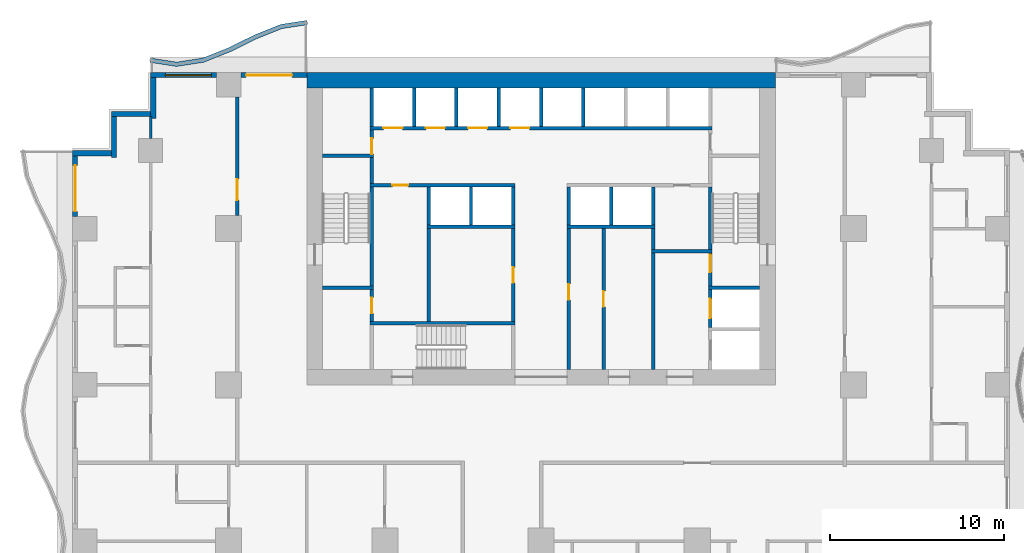
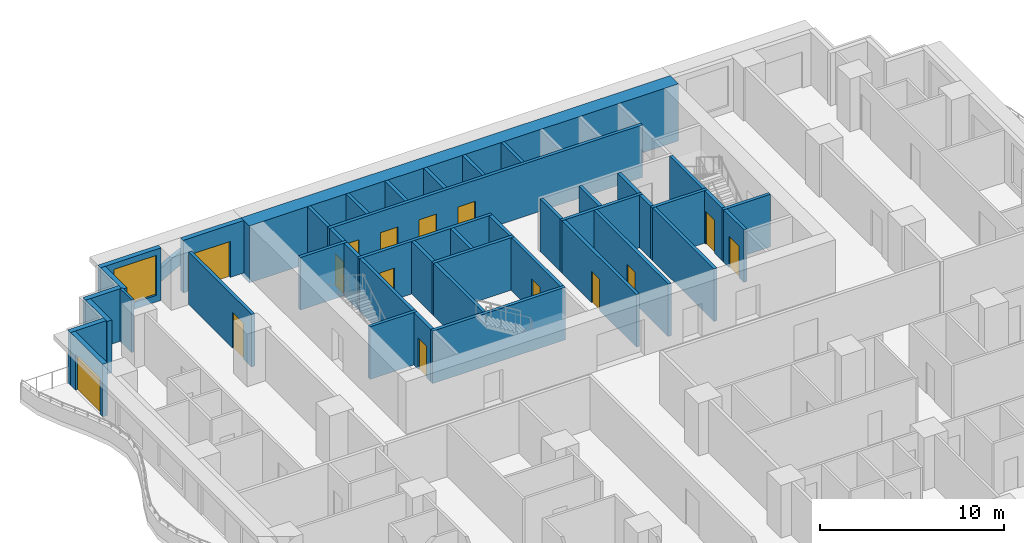
# One storey, part 5 of 13: 45 walls, 15 doors, 1 window, 16 openings.
"""IFC4 building model written with IfcOpenShell, lengths in metres."""

from ifc_helpers import new_model, si_unit, direction, frame, frame_2d, origin, place, context, subcontext, project, spatial, polyline, rectangle, outline, extrude, material, layer, layer_set, type_object, element, fill, save


model = new_model("IFC4")

# Units and contexts
model_context = context("Model", 3, precision=1e-05, world=origin(), true_north=direction((0.0, 1.0)))
body_context = subcontext(model_context, "Body", "Model", "MODEL_VIEW")
ifc_project = project(units=[si_unit("LENGTHUNIT", "METRE"), si_unit("AREAUNIT", "SQUARE_METRE"), si_unit("VOLUMEUNIT", "CUBIC_METRE"), si_unit("PLANEANGLEUNIT", "RADIAN"), si_unit("MASSUNIT", "GRAM", prefix="KILO")], contexts=[model_context])

# Site, building, storey
site_placement = place(None, origin())
site = spatial("IfcSite", under=ifc_project, at=site_placement, CompositionType="ELEMENT")
building_placement = place(site_placement, origin())
building = spatial("IfcBuilding", under=site, at=building_placement, Name="Orbiselva Terraces", CompositionType="ELEMENT")
storey_placement = place(building_placement, frame((0.0, 0.0, 53.0)))
storey = spatial("IfcBuildingStorey", under=building, at=storey_placement, Name="L13", CompositionType="ELEMENT", Elevation=53.0)

# Wall
ifc_material_1 = material(Name="Concrete C80/95", Category="concrete")
ifc_layer_1 = layer(ifc_material_1, 0.9)
ifc_layer_set_1 = layer_set([ifc_layer_1], Name="Concrete C80/95")
wall_type_1 = type_object("IfcWallType", Name="CORE WALL 900 EXTERNAL", PredefinedType="SHEAR", material=ifc_layer_set_1)
wall_1_placement = place(storey_placement, frame((13.5, 22.05, -0.3), z_axis=(0.0, 0.0, 1.0), x_axis=(-1.0, 0.0, 0.0)))
element("IfcWall", 1, at=wall_1_placement, inside=storey, type_object=wall_type_1, Name="Core wall L13 north", PredefinedType="SHEAR", context=body_context, shape_type="SweptSolid", body=[
    extrude(rectangle(XDim=27.0, YDim=0.9, at=frame_2d((13.5, 0.0))), origin(), (0.0, 0.0, 1.0), 3.8),
])

# Wall, opening, door
ifc_material_2 = material(Name="Masonry blockwork", Category="masonry")
ifc_layer_2 = layer(ifc_material_2, 0.2)
ifc_layer_set_2 = layer_set([ifc_layer_2], Name="Masonry blockwork")
wall_type_2 = type_object("IfcWallType", Name="CORE-WALL-PARTITION-200", PredefinedType="PARTITIONING", material=ifc_layer_set_2)
wall_2_placement = place(storey_placement, frame((-9.75, 8.15, 0.0), z_axis=(0.0, 0.0, 1.0), x_axis=(0.0, 1.0, 0.0)))
wall_2 = element("IfcWall", 2, at=wall_2_placement, inside=storey, type_object=wall_type_2, Name="L13 core wall 05", PredefinedType="PARTITIONING", context=body_context, shape_type="SweptSolid", body=[
    extrude(rectangle(XDim=1.85, YDim=0.2, at=frame_2d((0.925, 0.0))), origin(), (0.0, 0.0, 1.0), 3.5),
])
opening_1_placement = place(wall_2_placement, frame((0.475, 0.0, 0.0)))
opening_1 = element("IfcOpeningElement", 3, at=opening_1_placement, cuts=wall_2, Name="Opening DR900", PredefinedType="OPENING", context=body_context, shape_type="SweptSolid", body=[
    extrude(rectangle(XDim=0.9, YDim=2.1, at=frame_2d((0.45, 1.05))), frame((0.0, 0.11, 0.0), z_axis=(0.0, -1.0, 0.0), x_axis=(1.0, 0.0, 0.0)), (0.0, 0.0, 1.0), 0.22),
])
ifc_material_3 = material(Name="Steel fire door", Category="steel")
door_type_1 = type_object("IfcDoorType", Name="ROOM DOOR 900", OperationType="NOTDEFINED", PredefinedType="DOOR", material=ifc_material_3)
door_1_placement = place(opening_1_placement, origin())
door_1 = element("IfcDoor", 4, at=door_1_placement, inside=storey, type_object=door_type_1, Name="L13 STAFF WC door", OperationType="SINGLE_SWING_RIGHT", OverallHeight=2.1, OverallWidth=0.9, PredefinedType="DOOR", context=body_context, shape_type="SweptSolid", body=[
    extrude(rectangle(XDim=0.9, YDim=2.1, at=frame_2d((0.45, 1.05))), frame((0.0, 0.025, 0.0), z_axis=(0.0, -1.0, 0.0), x_axis=(1.0, 0.0, 0.0)), (0.0, 0.0, 1.0), 0.05),
])
fill(opening_1, door_1)

wall_3_placement = place(storey_placement, frame((-9.75, 17.8, 0.0), z_axis=(0.0, 0.0, 1.0), x_axis=(0.0, 1.0, 0.0)))
wall_3 = element("IfcWall", 5, at=wall_3_placement, inside=storey, type_object=wall_type_2, Name="L13 core wall 09", PredefinedType="PARTITIONING", context=body_context, shape_type="SweptSolid", body=[
    extrude(rectangle(XDim=1.4, YDim=0.2, at=frame_2d((0.7, 0.0))), origin(), (0.0, 0.0, 1.0), 3.5),
])
opening_2_placement = place(wall_3_placement, origin())
opening_2 = element("IfcOpeningElement", 6, at=opening_2_placement, cuts=wall_3, Name="Opening DR900", PredefinedType="OPENING", context=body_context, shape_type="SweptSolid", body=[
    extrude(rectangle(XDim=0.9, YDim=2.1, at=frame_2d((0.45, 1.05))), frame((0.0, 0.11, 0.0), z_axis=(0.0, -1.0, 0.0), x_axis=(1.0, 0.0, 0.0)), (0.0, 0.0, 1.0), 0.22),
])
door_2_placement = place(opening_2_placement, origin())
door_2 = element("IfcDoor", 7, at=door_2_placement, inside=storey, type_object=door_type_1, Name="L13 COMMS RISER ROOM door", OperationType="SINGLE_SWING_LEFT", OverallHeight=2.1, OverallWidth=0.9, PredefinedType="DOOR", context=body_context, shape_type="SweptSolid", body=[
    extrude(rectangle(XDim=0.9, YDim=2.1, at=frame_2d((0.45, 1.05))), frame((0.0, 0.025, 0.0), z_axis=(0.0, -1.0, 0.0), x_axis=(1.0, 0.0, 0.0)), (0.0, 0.0, 1.0), 0.05),
])
fill(opening_2, door_2)

# Wall
wall_4_placement = place(storey_placement, frame((-6.475, 8.15, 0.0), z_axis=(0.0, 0.0, 1.0), x_axis=(0.0, 1.0, 0.0)))
element("IfcWall", 8, at=wall_4_placement, inside=storey, type_object=wall_type_2, Name="L13 core wall 13", PredefinedType="PARTITIONING", context=body_context, shape_type="SweptSolid", body=[
    extrude(rectangle(XDim=5.35, YDim=0.2, at=frame_2d((2.675, 0.0))), origin(), (0.0, 0.0, 1.0), 3.5),
])

# Wall, opening, door
wall_5_placement = place(storey_placement, frame((3.6, 13.5, 0.0), z_axis=(0.0, 0.0, 1.0), x_axis=(0.0, -1.0, 0.0)))
wall_5 = element("IfcWall", 9, at=wall_5_placement, inside=storey, type_object=wall_type_2, Name="L13 core wall 28", PredefinedType="PARTITIONING", context=body_context, shape_type="SweptSolid", body=[
    extrude(rectangle(XDim=8.1, YDim=0.2, at=frame_2d((4.05, 0.0))), origin(), (0.0, 0.0, 1.0), 3.5),
])
opening_3_placement = place(wall_5_placement, frame((3.6, 0.0, 0.0)))
opening_3 = element("IfcOpeningElement", 10, at=opening_3_placement, cuts=wall_5, Name="Opening DR900", PredefinedType="OPENING", context=body_context, shape_type="SweptSolid", body=[
    extrude(rectangle(XDim=0.9, YDim=2.1, at=frame_2d((0.45, 1.05))), frame((0.0, 0.11, 0.0), z_axis=(0.0, -1.0, 0.0), x_axis=(1.0, 0.0, 0.0)), (0.0, 0.0, 1.0), 0.22),
])
door_3_placement = place(opening_3_placement, origin())
door_3 = element("IfcDoor", 11, at=door_3_placement, inside=storey, type_object=door_type_1, Name="L13 SERVICE ROOM door", OperationType="SINGLE_SWING_RIGHT", OverallHeight=2.1, OverallWidth=0.9, PredefinedType="DOOR", context=body_context, shape_type="SweptSolid", body=[
    extrude(rectangle(XDim=0.9, YDim=2.1, at=frame_2d((0.45, 1.05))), frame((0.0, 0.025, 0.0), z_axis=(0.0, -1.0, 0.0), x_axis=(1.0, 0.0, 0.0)), (0.0, 0.0, 1.0), 0.05),
])
fill(opening_3, door_3)

# Walls
wall_6_placement = place(storey_placement, frame((6.475, 12.3, 0.0), z_axis=(0.0, 0.0, 1.0), x_axis=(0.0, 1.0, 0.0)))
element("IfcWall", 12, at=wall_6_placement, inside=storey, type_object=wall_type_2, Name="L13 core wall 33", PredefinedType="PARTITIONING", context=body_context, shape_type="SweptSolid", body=[
    extrude(rectangle(XDim=1.2, YDim=0.2, at=frame_2d((0.6, 0.0))), origin(), (0.0, 0.0, 1.0), 3.5),
])
ifc_material_4 = material(Name="Concrete C40/50", Category="concrete")
ifc_layer_3 = layer(ifc_material_4, 0.2)
ifc_layer_set_3 = layer_set([ifc_layer_3], Name="Concrete C40/50")
wall_type_3 = type_object("IfcWallType", Name="CORE-WALL-SHAFT-200", PredefinedType="PARTITIONING", material=ifc_layer_set_3)
for number, where, z_axis, x_axis, name in (
    (13, (-9.75, 19.4, 0.0), (0.0, 0.0, 1.0), (0.0, 1.0, 0.0), "L13 core wall 11"),
    (14, (-7.3125, 19.4, 0.0), (0.0, 0.0, 1.0), (0.0, 1.0, 0.0), "L13 core wall 12"),
    (15, (-6.475, 13.7, 0.0), (0.0, 0.0, 1.0), (0.0, 1.0, 0.0), "L13 core wall 15"),
    (16, (-4.875, 19.4, 0.0), (0.0, 0.0, 1.0), (0.0, 1.0, 0.0), "L13 core wall 16"),
    (17, (-4.0375, 13.7, 0.0), (0.0, 0.0, 1.0), (0.0, 1.0, 0.0), "L13 core wall 17"),
    (18, (-2.4375, 19.4, 0.0), (0.0, 0.0, 1.0), (0.0, 1.0, 0.0), "L13 core wall 18"),
    (19, (-1.6, 13.7, 0.0), (0.0, 0.0, 1.0), (0.0, 1.0, 0.0), "L13 core wall 21"),
    (20, (0.0, 19.4, 0.0), (0.0, 0.0, 1.0), (0.0, 1.0, 0.0), "L13 core wall 22"),
    (21, (1.6, 13.7, 0.0), (0.0, 0.0, 1.0), (0.0, 1.0, 0.0), "L13 core wall 25"),
    (22, (2.4375, 19.4, 0.0), (0.0, 0.0, 1.0), (0.0, 1.0, 0.0), "L13 core wall 27"),
    (23, (4.0375, 13.7, 0.0), (0.0, 0.0, 1.0), (0.0, 1.0, 0.0), "L13 core wall 29"),
    (24, (6.475, 13.7, 0.0), (0.0, 0.0, 1.0), (0.0, 1.0, 0.0), "L13 core wall 34"),
):
    element("IfcWall", number, at=place(storey_placement, frame(where, z_axis=z_axis, x_axis=x_axis)), inside=storey, type_object=wall_type_3, Name=name, PredefinedType="PARTITIONING", context=body_context, shape_type="SweptSolid", body=[
        extrude(rectangle(XDim=2.2, YDim=0.2, at=frame_2d((1.1, 0.0))), origin(), (0.0, 0.0, 1.0), 3.5),
    ])
ifc_material_5 = material(Name="Concrete C60/75", Category="concrete")
ifc_layer_4 = layer(ifc_material_5, 0.2)
ifc_layer_set_4 = layer_set([ifc_layer_4], Name="Concrete C60/75")
wall_type_4 = type_object("IfcWallType", Name="CORE-WALL-SHEAR-200", PredefinedType="SHEAR", material=ifc_layer_set_4)
for number, where, z_axis, x_axis, name in (
    (25, (-12.6, 10.1, 0.0), (0.0, 0.0, 1.0), (1.0, 0.0, 0.0), "L13 core wall 01"),
    (26, (-12.6, 17.7, 0.0), (0.0, 0.0, 1.0), (1.0, 0.0, 0.0), "L13 core wall 02"),
):
    element("IfcWall", number, at=place(storey_placement, frame(where, z_axis=z_axis, x_axis=x_axis)), inside=storey, type_object=wall_type_4, Name=name, PredefinedType="SHEAR", context=body_context, shape_type="SweptSolid", body=[
        extrude(rectangle(XDim=2.95, YDim=0.2, at=frame_2d((1.475, 0.0))), origin(), (0.0, 0.0, 1.0), 3.5),
    ])
wall_7_placement = place(storey_placement, frame((-9.85, 8.05, 0.0), z_axis=(0.0, 0.0, 1.0), x_axis=(1.0, 0.0, 0.0)))
element("IfcWall", 27, at=wall_7_placement, inside=storey, type_object=wall_type_4, Name="L13 core wall 04", PredefinedType="SHEAR", context=body_context, shape_type="SweptSolid", body=[
    extrude(rectangle(XDim=8.35, YDim=0.2, at=frame_2d((4.175, 0.0))), origin(), (0.0, 0.0, 1.0), 3.5),
])
wall_8_placement = place(storey_placement, frame((-9.75, 10.2, 0.0), z_axis=(0.0, 0.0, 1.0), x_axis=(0.0, 1.0, 0.0)))
element("IfcWall", 28, at=wall_8_placement, inside=storey, type_object=wall_type_4, Name="L13 core wall 06", PredefinedType="SHEAR", context=body_context, shape_type="SweptSolid", body=[
    extrude(rectangle(XDim=5.7, YDim=0.2, at=frame_2d((2.85, 0.0))), origin(), (0.0, 0.0, 1.0), 3.5),
])

# Wall, opening, door
wall_9_placement = place(storey_placement, frame((-1.5, 16.0, 0.0), z_axis=(0.0, 0.0, 1.0), x_axis=(-1.0, 0.0, 0.0)))
wall_9 = element("IfcWall", 29, at=wall_9_placement, inside=storey, type_object=wall_type_4, Name="L13 core wall 07", PredefinedType="SHEAR", context=body_context, shape_type="SweptSolid", body=[
    extrude(rectangle(XDim=8.35, YDim=0.2, at=frame_2d((4.175, 0.0))), origin(), (0.0, 0.0, 1.0), 3.5),
])
opening_4_placement = place(wall_9_placement, frame((6.1625, 0.0, 0.0)))
opening_4 = element("IfcOpeningElement", 30, at=opening_4_placement, cuts=wall_9, Name="Opening DR900", PredefinedType="OPENING", context=body_context, shape_type="SweptSolid", body=[
    extrude(rectangle(XDim=0.9, YDim=2.1, at=frame_2d((0.45, 1.05))), frame((0.0, 0.11, 0.0), z_axis=(0.0, -1.0, 0.0), x_axis=(1.0, 0.0, 0.0)), (0.0, 0.0, 1.0), 0.22),
])
door_4_placement = place(opening_4_placement, origin())
door_4 = element("IfcDoor", 31, at=door_4_placement, inside=storey, type_object=door_type_1, Name="L13 STAFF PANTRY door", OperationType="SINGLE_SWING_RIGHT", OverallHeight=2.1, OverallWidth=0.9, PredefinedType="DOOR", context=body_context, shape_type="SweptSolid", body=[
    extrude(rectangle(XDim=0.9, YDim=2.1, at=frame_2d((0.45, 1.05))), frame((0.0, 0.025, 0.0), z_axis=(0.0, -1.0, 0.0), x_axis=(1.0, 0.0, 0.0)), (0.0, 0.0, 1.0), 0.05),
])
fill(opening_4, door_4)

# Wall
wall_10_placement = place(storey_placement, frame((-9.75, 16.1, 0.0), z_axis=(0.0, 0.0, 1.0), x_axis=(0.0, 1.0, 0.0)))
element("IfcWall", 32, at=wall_10_placement, inside=storey, type_object=wall_type_4, Name="L13 core wall 08", PredefinedType="SHEAR", context=body_context, shape_type="SweptSolid", body=[
    extrude(rectangle(XDim=1.5, YDim=0.2, at=frame_2d((0.75, 0.0))), origin(), (0.0, 0.0, 1.0), 3.5),
])

# Wall, openings, doors
wall_11_placement = place(storey_placement, frame((-9.85, 19.3, 0.0), z_axis=(0.0, 0.0, 1.0), x_axis=(1.0, 0.0, 0.0)))
wall_11 = element("IfcWall", 33, at=wall_11_placement, inside=storey, type_object=wall_type_4, Name="L13 core wall 10", PredefinedType="SHEAR", context=body_context, shape_type="SweptSolid", body=[
    extrude(rectangle(XDim=19.7, YDim=0.2, at=frame_2d((9.85, 0.0))), origin(), (0.0, 0.0, 1.0), 3.5),
])
opening_5_placement = place(wall_11_placement, frame((0.76875, 0.0, 0.0)))
opening_5 = element("IfcOpeningElement", 34, at=opening_5_placement, cuts=wall_11, Name="Opening LD-LR1", PredefinedType="OPENING", context=body_context, shape_type="SweptSolid", body=[
    extrude(rectangle(XDim=1.1, YDim=2.1, at=frame_2d((0.55, 1.05))), frame((0.0, 0.11, 0.0), z_axis=(0.0, -1.0, 0.0), x_axis=(1.0, 0.0, 0.0)), (0.0, 0.0, 1.0), 0.22),
])
opening_6_placement = place(wall_11_placement, frame((3.20625, 0.0, 0.0)))
opening_6 = element("IfcOpeningElement", 35, at=opening_6_placement, cuts=wall_11, Name="Opening LD-LR2", PredefinedType="OPENING", context=body_context, shape_type="SweptSolid", body=[
    extrude(rectangle(XDim=1.1, YDim=2.1, at=frame_2d((0.55, 1.05))), frame((0.0, 0.11, 0.0), z_axis=(0.0, -1.0, 0.0), x_axis=(1.0, 0.0, 0.0)), (0.0, 0.0, 1.0), 0.22),
])
opening_7_placement = place(wall_11_placement, frame((5.64375, 0.0, 0.0)))
opening_7 = element("IfcOpeningElement", 36, at=opening_7_placement, cuts=wall_11, Name="Opening LD-LR3", PredefinedType="OPENING", context=body_context, shape_type="SweptSolid", body=[
    extrude(rectangle(XDim=1.1, YDim=2.1, at=frame_2d((0.55, 1.05))), frame((0.0, 0.11, 0.0), z_axis=(0.0, -1.0, 0.0), x_axis=(1.0, 0.0, 0.0)), (0.0, 0.0, 1.0), 0.22),
])
opening_8_placement = place(wall_11_placement, frame((8.08125, 0.0, 0.0)))
opening_8 = element("IfcOpeningElement", 37, at=opening_8_placement, cuts=wall_11, Name="Opening LD-LR4", PredefinedType="OPENING", context=body_context, shape_type="SweptSolid", body=[
    extrude(rectangle(XDim=1.1, YDim=2.1, at=frame_2d((0.55, 1.05))), frame((0.0, 0.11, 0.0), z_axis=(0.0, -1.0, 0.0), x_axis=(1.0, 0.0, 0.0)), (0.0, 0.0, 1.0), 0.22),
])
ifc_material_6 = material(Name="Stainless steel landing door", Category="steel")
door_type_2 = type_object("IfcDoorType", Name="LANDING DOOR 1100", OperationType="SLIDING_TO_LEFT", PredefinedType="DOOR", material=ifc_material_6)
door_5_placement = place(opening_5_placement, origin())
door_5 = element("IfcDoor", 38, at=door_5_placement, inside=storey, type_object=door_type_2, Name="L13 landing door LR1", OperationType="SLIDING_TO_LEFT", OverallHeight=2.1, OverallWidth=1.1, PredefinedType="DOOR", context=body_context, shape_type="SweptSolid", body=[
    extrude(rectangle(XDim=1.1, YDim=2.1, at=frame_2d((0.55, 1.05))), frame((0.0, 0.025, 0.0), z_axis=(0.0, -1.0, 0.0), x_axis=(1.0, 0.0, 0.0)), (0.0, 0.0, 1.0), 0.05),
])
fill(opening_5, door_5)
door_6_placement = place(opening_6_placement, origin())
door_6 = element("IfcDoor", 39, at=door_6_placement, inside=storey, type_object=door_type_2, Name="L13 landing door LR2", OperationType="SLIDING_TO_LEFT", OverallHeight=2.1, OverallWidth=1.1, PredefinedType="DOOR", context=body_context, shape_type="SweptSolid", body=[
    extrude(rectangle(XDim=1.1, YDim=2.1, at=frame_2d((0.55, 1.05))), frame((0.0, 0.025, 0.0), z_axis=(0.0, -1.0, 0.0), x_axis=(1.0, 0.0, 0.0)), (0.0, 0.0, 1.0), 0.05),
])
fill(opening_6, door_6)
door_7_placement = place(opening_7_placement, origin())
door_7 = element("IfcDoor", 40, at=door_7_placement, inside=storey, type_object=door_type_2, Name="L13 landing door LR3", OperationType="SLIDING_TO_LEFT", OverallHeight=2.1, OverallWidth=1.1, PredefinedType="DOOR", context=body_context, shape_type="SweptSolid", body=[
    extrude(rectangle(XDim=1.1, YDim=2.1, at=frame_2d((0.55, 1.05))), frame((0.0, 0.025, 0.0), z_axis=(0.0, -1.0, 0.0), x_axis=(1.0, 0.0, 0.0)), (0.0, 0.0, 1.0), 0.05),
])
fill(opening_7, door_7)
door_8_placement = place(opening_8_placement, origin())
door_8 = element("IfcDoor", 41, at=door_8_placement, inside=storey, type_object=door_type_2, Name="L13 landing door LR4", OperationType="SLIDING_TO_LEFT", OverallHeight=2.1, OverallWidth=1.1, PredefinedType="DOOR", context=body_context, shape_type="SweptSolid", body=[
    extrude(rectangle(XDim=1.1, YDim=2.1, at=frame_2d((0.55, 1.05))), frame((0.0, 0.025, 0.0), z_axis=(0.0, -1.0, 0.0), x_axis=(1.0, 0.0, 0.0)), (0.0, 0.0, 1.0), 0.05),
])
fill(opening_8, door_8)

# Wall
wall_12_placement = place(storey_placement, frame((-6.575, 13.6, 0.0), z_axis=(0.0, 0.0, 1.0), x_axis=(1.0, 0.0, 0.0)))
element("IfcWall", 42, at=wall_12_placement, inside=storey, type_object=wall_type_4, Name="L13 core wall 14", PredefinedType="SHEAR", context=body_context, shape_type="SweptSolid", body=[
    extrude(rectangle(XDim=5.075, YDim=0.2, at=frame_2d((2.5375, 0.0))), origin(), (0.0, 0.0, 1.0), 3.5),
])

# Wall, opening, door
wall_13_placement = place(storey_placement, frame((-1.6, 8.15, 0.0), z_axis=(0.0, 0.0, 1.0), x_axis=(0.0, 1.0, 0.0)))
wall_13 = element("IfcWall", 43, at=wall_13_placement, inside=storey, type_object=wall_type_4, Name="L13 core wall 20", PredefinedType="SHEAR", context=body_context, shape_type="SweptSolid", body=[
    extrude(rectangle(XDim=5.35, YDim=0.2, at=frame_2d((2.675, 0.0))), origin(), (0.0, 0.0, 1.0), 3.5),
])
opening_9_placement = place(wall_13_placement, frame((2.225, 0.0, 0.0)))
opening_9 = element("IfcOpeningElement", 44, at=opening_9_placement, cuts=wall_13, Name="Opening DR900", PredefinedType="OPENING", context=body_context, shape_type="SweptSolid", body=[
    extrude(rectangle(XDim=0.9, YDim=2.1, at=frame_2d((0.45, 1.05))), frame((0.0, 0.11, 0.0), z_axis=(0.0, -1.0, 0.0), x_axis=(1.0, 0.0, 0.0)), (0.0, 0.0, 1.0), 0.22),
])
door_9_placement = place(opening_9_placement, origin())
door_9 = element("IfcDoor", 45, at=door_9_placement, inside=storey, type_object=door_type_1, Name="L13 HOUSEKEEPING STORE door", OperationType="SINGLE_SWING_RIGHT", OverallHeight=2.1, OverallWidth=0.9, PredefinedType="DOOR", context=body_context, shape_type="SweptSolid", body=[
    extrude(rectangle(XDim=0.9, YDim=2.1, at=frame_2d((0.45, 1.05))), frame((0.0, 0.025, 0.0), z_axis=(0.0, -1.0, 0.0), x_axis=(1.0, 0.0, 0.0)), (0.0, 0.0, 1.0), 0.05),
])
fill(opening_9, door_9)

wall_14_placement = place(storey_placement, frame((1.6, 13.5, 0.0), z_axis=(0.0, 0.0, 1.0), x_axis=(0.0, -1.0, 0.0)))
wall_14 = element("IfcWall", 46, at=wall_14_placement, inside=storey, type_object=wall_type_4, Name="L13 core wall 23", PredefinedType="SHEAR", context=body_context, shape_type="SweptSolid", body=[
    extrude(rectangle(XDim=8.1, YDim=0.2, at=frame_2d((4.05, 0.0))), origin(), (0.0, 0.0, 1.0), 3.5),
])
opening_10_placement = place(wall_14_placement, frame((3.2, 0.0, 0.0)))
opening_10 = element("IfcOpeningElement", 47, at=opening_10_placement, cuts=wall_14, Name="Opening DR900", PredefinedType="OPENING", context=body_context, shape_type="SweptSolid", body=[
    extrude(rectangle(XDim=0.9, YDim=2.1, at=frame_2d((0.45, 1.05))), frame((0.0, 0.11, 0.0), z_axis=(0.0, -1.0, 0.0), x_axis=(1.0, 0.0, 0.0)), (0.0, 0.0, 1.0), 0.22),
])
door_10_placement = place(opening_10_placement, origin())
door_10 = element("IfcDoor", 48, at=door_10_placement, inside=storey, type_object=door_type_1, Name="L13 COMMS ROOM door", OperationType="SINGLE_SWING_LEFT", OverallHeight=2.1, OverallWidth=0.9, PredefinedType="DOOR", context=body_context, shape_type="SweptSolid", body=[
    extrude(rectangle(XDim=0.9, YDim=2.1, at=frame_2d((0.45, 1.05))), frame((0.0, 0.025, 0.0), z_axis=(0.0, -1.0, 0.0), x_axis=(1.0, 0.0, 0.0)), (0.0, 0.0, 1.0), 0.05),
])
fill(opening_10, door_10)

# Walls
wall_15_placement = place(storey_placement, frame((1.5, 13.6, 0.0), z_axis=(0.0, 0.0, 1.0), x_axis=(1.0, 0.0, 0.0)))
element("IfcWall", 49, at=wall_15_placement, inside=storey, type_object=wall_type_4, Name="L13 core wall 24", PredefinedType="SHEAR", context=body_context, shape_type="SweptSolid", body=[
    extrude(rectangle(XDim=5.075, YDim=0.2, at=frame_2d((2.5375, 0.0))), origin(), (0.0, 0.0, 1.0), 3.5),
])
wall_16_placement = place(storey_placement, frame((6.475, 5.4, 0.0), z_axis=(0.0, 0.0, 1.0), x_axis=(0.0, 1.0, 0.0)))
element("IfcWall", 50, at=wall_16_placement, inside=storey, type_object=wall_type_4, Name="L13 core wall 31", PredefinedType="SHEAR", context=body_context, shape_type="SweptSolid", body=[
    extrude(rectangle(XDim=6.7, YDim=0.2, at=frame_2d((3.35, 0.0))), origin(), (0.0, 0.0, 1.0), 3.5),
])
wall_17_placement = place(storey_placement, frame((6.375, 12.2, 0.0), z_axis=(0.0, 0.0, 1.0), x_axis=(1.0, 0.0, 0.0)))
element("IfcWall", 51, at=wall_17_placement, inside=storey, type_object=wall_type_4, Name="L13 core wall 32", PredefinedType="SHEAR", context=body_context, shape_type="SweptSolid", body=[
    extrude(rectangle(XDim=3.475, YDim=0.2, at=frame_2d((1.7375, 0.0))), origin(), (0.0, 0.0, 1.0), 3.5),
])

# Wall, opening, door
wall_18_placement = place(storey_placement, frame((9.75, 7.8, 0.0), z_axis=(0.0, 0.0, 1.0), x_axis=(0.0, 1.0, 0.0)))
wall_18 = element("IfcWall", 52, at=wall_18_placement, inside=storey, type_object=wall_type_4, Name="L13 core wall 38", PredefinedType="SHEAR", context=body_context, shape_type="SweptSolid", body=[
    extrude(rectangle(XDim=2.2, YDim=0.2, at=frame_2d((1.1, 0.0))), origin(), (0.0, 0.0, 1.0), 3.5),
])
opening_11_placement = place(wall_18_placement, frame((0.55, 0.0, 0.0)))
opening_11 = element("IfcOpeningElement", 53, at=opening_11_placement, cuts=wall_18, Name="Opening LD-FF2", PredefinedType="OPENING", context=body_context, shape_type="SweptSolid", body=[
    extrude(rectangle(XDim=1.1, YDim=2.1, at=frame_2d((0.55, 1.05))), frame((0.0, 0.11, 0.0), z_axis=(0.0, -1.0, 0.0), x_axis=(1.0, 0.0, 0.0)), (0.0, 0.0, 1.0), 0.22),
])
door_11_placement = place(opening_11_placement, origin())
door_11 = element("IfcDoor", 54, at=door_11_placement, inside=storey, type_object=door_type_2, Name="L13 landing door FF2", OperationType="SLIDING_TO_RIGHT", OverallHeight=2.1, OverallWidth=1.1, PredefinedType="DOOR", context=body_context, shape_type="SweptSolid", body=[
    extrude(rectangle(XDim=1.1, YDim=2.1, at=frame_2d((0.55, 1.05))), frame((0.0, 0.025, 0.0), z_axis=(0.0, -1.0, 0.0), x_axis=(1.0, 0.0, 0.0)), (0.0, 0.0, 1.0), 0.05),
])
fill(opening_11, door_11)

# Wall
wall_19_placement = place(storey_placement, frame((9.65, 10.1, 0.0), z_axis=(0.0, 0.0, 1.0), x_axis=(1.0, 0.0, 0.0)))
element("IfcWall", 55, at=wall_19_placement, inside=storey, type_object=wall_type_4, Name="L13 core wall 39", PredefinedType="SHEAR", context=body_context, shape_type="SweptSolid", body=[
    extrude(rectangle(XDim=2.95, YDim=0.2, at=frame_2d((1.475, 0.0))), origin(), (0.0, 0.0, 1.0), 3.5),
])

# Wall, opening, door
wall_20_placement = place(storey_placement, frame((9.75, 12.1, 0.0), z_axis=(0.0, 0.0, 1.0), x_axis=(0.0, -1.0, 0.0)))
wall_20 = element("IfcWall", 56, at=wall_20_placement, inside=storey, type_object=wall_type_4, Name="L13 core wall 40", PredefinedType="SHEAR", context=body_context, shape_type="SweptSolid", body=[
    extrude(rectangle(XDim=1.9, YDim=0.2, at=frame_2d((0.95, 0.0))), origin(), (0.0, 0.0, 1.0), 3.5),
])
opening_12_placement = place(wall_20_placement, frame((0.1, 0.0, 0.0)))
opening_12 = element("IfcOpeningElement", 57, at=opening_12_placement, cuts=wall_20, Name="Opening DS1000", PredefinedType="OPENING", context=body_context, shape_type="SweptSolid", body=[
    extrude(rectangle(XDim=1.0, YDim=2.2, at=frame_2d((0.5, 1.1))), frame((0.0, 0.11, 0.0), z_axis=(0.0, -1.0, 0.0), x_axis=(1.0, 0.0, 0.0)), (0.0, 0.0, 1.0), 0.22),
])
door_type_3 = type_object("IfcDoorType", Name="STAIR DOOR 1000", OperationType="NOTDEFINED", PredefinedType="DOOR", material=ifc_material_3)
door_12_placement = place(opening_12_placement, origin())
door_12 = element("IfcDoor", 58, at=door_12_placement, inside=storey, type_object=door_type_3, Name="L13 FIRE-FIGHTING LOBBY TO EXIT STAIR S2 door", OperationType="SINGLE_SWING_LEFT", OverallHeight=2.2, OverallWidth=1.0, PredefinedType="DOOR", context=body_context, shape_type="SweptSolid", body=[
    extrude(rectangle(XDim=1.0, YDim=2.2, at=frame_2d((0.5, 1.1))), frame((0.0, 0.025, 0.0), z_axis=(0.0, -1.0, 0.0), x_axis=(1.0, 0.0, 0.0)), (0.0, 0.0, 1.0), 0.05),
])
fill(opening_12, door_12)

# Walls
wall_21_placement = place(storey_placement, frame((9.75, 12.3, 0.0), z_axis=(0.0, 0.0, 1.0), x_axis=(0.0, 1.0, 0.0)))
element("IfcWall", 59, at=wall_21_placement, inside=storey, type_object=wall_type_4, Name="L13 core wall 41", PredefinedType="SHEAR", context=body_context, shape_type="SweptSolid", body=[
    extrude(rectangle(XDim=3.6, YDim=0.2, at=frame_2d((1.8, 0.0))), origin(), (0.0, 0.0, 1.0), 3.5),
])
ifc_layer_5 = layer(ifc_material_4, 0.25)
ifc_layer_set_5 = layer_set([ifc_layer_5], Name="Concrete C40/50")
wall_type_5 = type_object("IfcWallType", Name="ENV-PLANTER-250x900", PredefinedType="USERDEFINED", material=ifc_layer_set_5)
wall_22_placement = place(storey_placement, origin())
element("IfcWall", 60, at=wall_22_placement, inside=storey, type_object=wall_type_5, Name="Balcony planter L13 NW", ObjectType="PLANTER", PredefinedType="USERDEFINED", context=body_context, shape_type="SweptSolid", body=[
    extrude(outline(polyline([(-13.5, 25.5), (-15.0, 25.27082), (-16.5, 24.67082), (-18.0, 23.92918), (-19.5, 23.32918), (-21.0, 23.1), (-22.5, 23.32918), (-22.537758, 23.082048), (-21.0, 22.847099), (-19.433834, 23.086388), (-17.898017, 23.700715), (-16.398017, 24.442355), (-14.933834, 25.028028), (-13.462242, 25.252868), (-13.5, 25.5)])), origin(), (0.0, 0.0, 1.0), 0.9),
])

# Wall, opening, door
ifc_material_7 = material(Name="Terracotta cladding on masonry backing", Category="masonry")
ifc_layer_6 = layer(ifc_material_7, 0.3)
ifc_layer_set_6 = layer_set([ifc_layer_6], Name="Terracotta cladding on masonry backing")
wall_type_6 = type_object("IfcWallType", Name="ENV-WALL-TERRACOTTA-300", PredefinedType="SOLIDWALL", material=ifc_layer_set_6)
wall_23_placement = place(storey_placement, frame((-17.3, 22.35, 0.0), z_axis=(0.0, 0.0, 1.0), x_axis=(1.0, 0.0, 0.0)))
wall_23 = element("IfcWall", 61, at=wall_23_placement, inside=storey, type_object=wall_type_6, Name="Facade wall L13 NW", PredefinedType="SOLIDWALL", context=body_context, shape_type="SweptSolid", body=[
    extrude(rectangle(XDim=3.8, YDim=0.3, at=frame_2d((1.9, 0.0))), origin(), (0.0, 0.0, 1.0), 3.5),
])
opening_13_placement = place(wall_23_placement, frame((0.3, 0.0, 0.0)))
opening_13 = element("IfcOpeningElement", 62, at=opening_13_placement, cuts=wall_23, Name="Opening Z1-D-E10", PredefinedType="OPENING", context=body_context, shape_type="SweptSolid", body=[
    extrude(rectangle(XDim=2.65, YDim=2.4, at=frame_2d((1.325, 1.2))), frame((0.0, 0.16, 0.0), z_axis=(0.0, -1.0, 0.0), x_axis=(1.0, 0.0, 0.0)), (0.0, 0.0, 1.0), 0.32),
])
ifc_material_8 = material(Name="Clear low-e glazing in aluminium frame", Category="aluminium")
door_type_4 = type_object("IfcDoorType", Name="BALCONY DOOR 2650 X 2400", OperationType="DOUBLE_DOOR_SLIDING", PredefinedType="DOOR", material=ifc_material_8)
door_13_placement = place(opening_13_placement, origin())
door_13 = element("IfcDoor", 63, at=door_13_placement, inside=storey, type_object=door_type_4, Name="Z1-D-E10", OperationType="SINGLE_SWING_LEFT", OverallHeight=2.4, OverallWidth=2.65, PredefinedType="DOOR", context=body_context, shape_type="SweptSolid", body=[
    extrude(rectangle(XDim=2.65, YDim=2.4, at=frame_2d((1.325, 1.2))), frame((0.0, 0.025, 0.0), z_axis=(0.0, -1.0, 0.0), x_axis=(1.0, 0.0, 0.0)), (0.0, 0.0, 1.0), 0.05),
])
fill(opening_13, door_13)

# Wall, opening, window
wall_24_placement = place(storey_placement, frame((-22.5, 22.35, 0.0), z_axis=(0.0, 0.0, 1.0), x_axis=(1.0, 0.0, 0.0)))
wall_24 = element("IfcWall", 64, at=wall_24_placement, inside=storey, type_object=wall_type_6, Name="Facade wall L13 NW", PredefinedType="SOLIDWALL", context=body_context, shape_type="SweptSolid", body=[
    extrude(rectangle(XDim=3.8, YDim=0.3, at=frame_2d((1.9, 0.0))), origin(), (0.0, 0.0, 1.0), 3.5),
])
opening_14_placement = place(wall_24_placement, frame((0.85, 0.0, 0.45)))
opening_14 = element("IfcOpeningElement", 65, at=opening_14_placement, cuts=wall_24, Name="Opening WN3", PredefinedType="OPENING", context=body_context, shape_type="SweptSolid", body=[
    extrude(rectangle(XDim=2.65, YDim=2.65, at=frame_2d((1.325, 1.325))), frame((0.0, 0.16, 0.0), z_axis=(0.0, -1.0, 0.0), x_axis=(1.0, 0.0, 0.0)), (0.0, 0.0, 1.0), 0.32),
])
window_type = type_object("IfcWindowType", Name="WINDOW 2650 X 2650 S450", PartitioningType="TRIPLE_PANEL_VERTICAL", PredefinedType="WINDOW", material=ifc_material_8)
window_placement = place(opening_14_placement, origin())
window = element("IfcWindow", 66, at=window_placement, inside=storey, type_object=window_type, Name="Window L13 NW", OverallHeight=2.65, OverallWidth=2.65, PartitioningType="SINGLE_PANEL", PredefinedType="WINDOW", context=body_context, shape_type="SweptSolid", body=[
    extrude(rectangle(XDim=2.65, YDim=2.65, at=frame_2d((1.325, 1.325))), frame((0.0, 0.03, 0.0), z_axis=(0.0, -1.0, 0.0), x_axis=(1.0, 0.0, 0.0)), (0.0, 0.0, 1.0), 0.06),
])
fill(opening_14, window)

# Walls
wall_25_placement = place(storey_placement, frame((-22.35, 19.85, 0.0), z_axis=(0.0, 0.0, 1.0), x_axis=(0.0, 1.0, 0.0)))
element("IfcWall", 67, at=wall_25_placement, inside=storey, type_object=wall_type_6, Name="Facade wall L13 STEP", PredefinedType="SOLIDWALL", context=body_context, shape_type="SweptSolid", body=[
    extrude(rectangle(XDim=2.35, YDim=0.3, at=frame_2d((1.175, 0.0))), origin(), (0.0, 0.0, 1.0), 3.5),
])
wall_26_placement = place(storey_placement, frame((-24.75, 20.1, 0.0), z_axis=(0.0, 0.0, 1.0), x_axis=(1.0, 0.0, 0.0)))
element("IfcWall", 68, at=wall_26_placement, inside=storey, type_object=wall_type_6, Name="Facade wall L13 STEP", PredefinedType="SOLIDWALL", context=body_context, shape_type="SweptSolid", body=[
    extrude(rectangle(XDim=2.25, YDim=0.3, at=frame_2d((1.125, 0.0))), origin(), (0.0, 0.0, 1.0), 3.5),
])
wall_27_placement = place(storey_placement, frame((-24.6, 17.6, 0.0), z_axis=(0.0, 0.0, 1.0), x_axis=(0.0, 1.0, 0.0)))
element("IfcWall", 69, at=wall_27_placement, inside=storey, type_object=wall_type_6, Name="Facade wall L13 STEP", PredefinedType="SOLIDWALL", context=body_context, shape_type="SweptSolid", body=[
    extrude(rectangle(XDim=2.35, YDim=0.3, at=frame_2d((1.175, 0.0))), origin(), (0.0, 0.0, 1.0), 3.5),
])
wall_28_placement = place(storey_placement, frame((-27.0, 17.85, 0.0), z_axis=(0.0, 0.0, 1.0), x_axis=(1.0, 0.0, 0.0)))
element("IfcWall", 70, at=wall_28_placement, inside=storey, type_object=wall_type_6, Name="Facade wall L13 STEP", PredefinedType="SOLIDWALL", context=body_context, shape_type="SweptSolid", body=[
    extrude(rectangle(XDim=2.25, YDim=0.3, at=frame_2d((1.125, 0.0))), origin(), (0.0, 0.0, 1.0), 3.5),
])

# Wall, opening, door
wall_29_placement = place(storey_placement, frame((-26.85, 14.2, 0.0), z_axis=(0.0, 0.0, 1.0), x_axis=(0.0, 1.0, 0.0)))
wall_29 = element("IfcWall", 71, at=wall_29_placement, inside=storey, type_object=wall_type_6, Name="Facade wall L13 W", PredefinedType="SOLIDWALL", context=body_context, shape_type="SweptSolid", body=[
    extrude(rectangle(XDim=3.5, YDim=0.3, at=frame_2d((1.75, 0.0))), origin(), (0.0, 0.0, 1.0), 3.5),
])
opening_15_placement = place(wall_29_placement, frame((0.3, 0.0, 0.0)))
opening_15 = element("IfcOpeningElement", 72, at=opening_15_placement, cuts=wall_29, Name="Opening Z1-D-E11", PredefinedType="OPENING", context=body_context, shape_type="SweptSolid", body=[
    extrude(rectangle(XDim=2.65, YDim=2.4, at=frame_2d((1.325, 1.2))), frame((0.0, 0.16, 0.0), z_axis=(0.0, -1.0, 0.0), x_axis=(1.0, 0.0, 0.0)), (0.0, 0.0, 1.0), 0.32),
])
door_14_placement = place(opening_15_placement, origin())
door_14 = element("IfcDoor", 73, at=door_14_placement, inside=storey, type_object=door_type_4, Name="Z1-D-E11", OperationType="SINGLE_SWING_LEFT", OverallHeight=2.4, OverallWidth=2.65, PredefinedType="DOOR", context=body_context, shape_type="SweptSolid", body=[
    extrude(rectangle(XDim=2.65, YDim=2.4, at=frame_2d((1.325, 1.2))), frame((0.0, 0.025, 0.0), z_axis=(0.0, -1.0, 0.0), x_axis=(1.0, 0.0, 0.0)), (0.0, 0.0, 1.0), 0.05),
])
fill(opening_15, door_14)

ifc_material_9 = material(Name="Plasterboard on steel stud partition", Category="steel")
ifc_layer_7 = layer(ifc_material_9, 0.2)
ifc_layer_set_7 = layer_set([ifc_layer_7], Name="Plasterboard on steel stud partition")
wall_type_7 = type_object("IfcWallType", Name="UNIT-ENTRANCE-WALL-200", PredefinedType="PARTITIONING", material=ifc_layer_set_7)
wall_30_placement = place(storey_placement, frame((-17.5, 14.25, 0.0), z_axis=(0.0, 0.0, 1.0), x_axis=(0.0, 1.0, 0.0)))
wall_30 = element("IfcWall", 74, at=wall_30_placement, inside=storey, type_object=wall_type_7, Name="PARTITION L13-052", PredefinedType="PARTITIONING", context=body_context, shape_type="SweptSolid", body=[
    extrude(rectangle(XDim=6.85, YDim=0.2, at=frame_2d((3.425, 0.0))), origin(), (0.0, 0.0, 1.0), 3.5),
])
opening_16_placement = place(wall_30_placement, frame((0.9, 0.0, 0.0)))
opening_16 = element("IfcOpeningElement", 75, at=opening_16_placement, cuts=wall_30, Name="Opening Z1-D-01", PredefinedType="OPENING", context=body_context, shape_type="SweptSolid", body=[
    extrude(rectangle(XDim=1.2, YDim=2.4, at=frame_2d((0.6, 1.2))), frame((0.0, 0.11, 0.0), z_axis=(0.0, -1.0, 0.0), x_axis=(1.0, 0.0, 0.0)), (0.0, 0.0, 1.0), 0.22),
])
ifc_material_10 = material(Name="Painted timber door leaf", Category="wood")
door_type_5 = type_object("IfcDoorType", Name="ENTRANCE DOOR 1200", OperationType="NOTDEFINED", PredefinedType="DOOR", material=ifc_material_10)
door_15_placement = place(opening_16_placement, origin())
door_15 = element("IfcDoor", 76, at=door_15_placement, inside=storey, type_object=door_type_5, Name="Z1-D-01", OperationType="SINGLE_SWING_LEFT", OverallHeight=2.4, OverallWidth=1.2, PredefinedType="DOOR", context=body_context, shape_type="SweptSolid", body=[
    extrude(rectangle(XDim=1.2, YDim=2.4, at=frame_2d((0.6, 1.2))), frame((0.0, 0.025, 0.0), z_axis=(0.0, -1.0, 0.0), x_axis=(1.0, 0.0, 0.0)), (0.0, 0.0, 1.0), 0.05),
])
fill(opening_16, door_15)

# Wall
ifc_layer_8 = layer(ifc_material_9, 0.15)
ifc_layer_set_8 = layer_set([ifc_layer_8], Name="Plasterboard on steel stud partition")
wall_type_8 = type_object("IfcWallType", Name="UNIT-PARTITION-150", PredefinedType="PARTITIONING", material=ifc_layer_set_8)
wall_31_placement = place(storey_placement, frame((-22.5, 18.7, 0.0), z_axis=(0.0, 0.0, 1.0), x_axis=(0.0, 1.0, 0.0)))
element("IfcWall", 77, at=wall_31_placement, inside=storey, type_object=wall_type_8, Name="PARTITION L13-043", PredefinedType="PARTITIONING", context=body_context, shape_type="SweptSolid", body=[
    extrude(rectangle(XDim=1.25, YDim=0.15, at=frame_2d((0.625, 0.0))), origin(), (0.0, 0.0, 1.0), 3.5),
])

save(model, "model.ifc")
